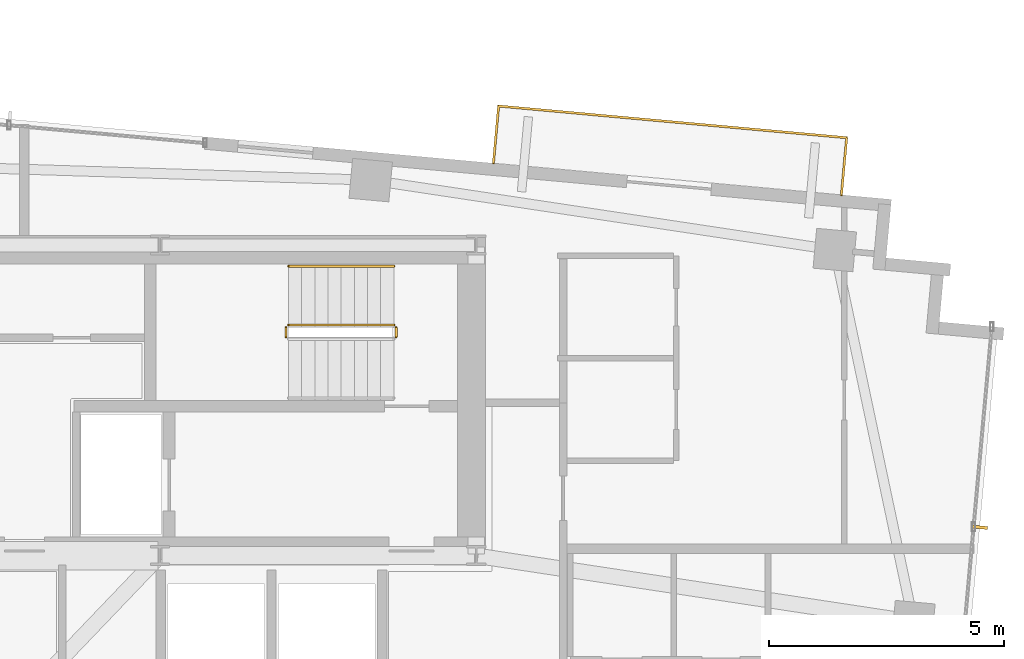
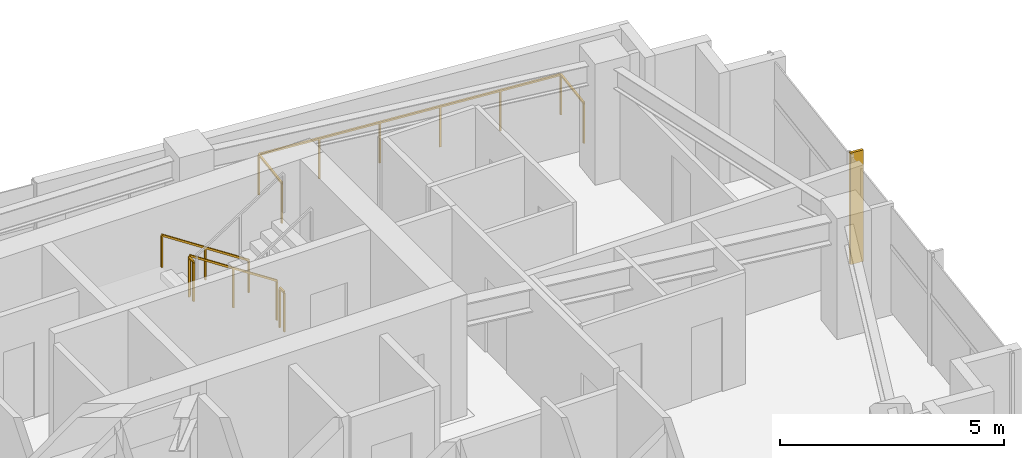
# One storey, part 22 of 22: 5 railings, 1 shading device.
"""IFC4 building model written with IfcOpenShell, lengths in metres."""

from ifc_helpers import new_model, si_unit, direction, frame, origin, origin_2d, place, context, subcontext, project, spatial, rectangle, extrude, source, transform, mapped, material, type_object, type_shapes, element, save


model = new_model("IFC4")

# Units and contexts
model_context = context("Model", 3, precision=1e-05, world=origin(), true_north=direction((0.0, 1.0)))
body_context = subcontext(model_context, "Body", "Model", "MODEL_VIEW")
ifc_project = project(units=[si_unit("LENGTHUNIT", "METRE"), si_unit("AREAUNIT", "SQUARE_METRE"), si_unit("VOLUMEUNIT", "CUBIC_METRE"), si_unit("PLANEANGLEUNIT", "RADIAN"), si_unit("MASSUNIT", "GRAM", prefix="KILO")], contexts=[model_context])

# Site, building, storey
site_placement = place(None, origin())
site = spatial("IfcSite", under=ifc_project, at=site_placement, CompositionType="ELEMENT")
building_placement = place(site_placement, origin())
building = spatial("IfcBuilding", under=site, at=building_placement, Name="Astriad Promenade Condominiums", CompositionType="ELEMENT")
storey_placement = place(building_placement, frame((0.0, 0.0, 236.39990234375)))
storey = spatial("IfcBuildingStorey", under=building, at=storey_placement, Name="L68", CompositionType="ELEMENT", Elevation=236.39990234375)

# Shading device
ifc_material_1 = material(Name="Anodised aluminium 6063-T6 Black Fin", Category="aluminium")
shading_device_type = type_object("IfcShadingDeviceType", Name="FIN-BLACK-260", PredefinedType="USERDEFINED", material=ifc_material_1)
shared_shape_1 = source(origin(), body_context, "Body", "SweptSolid", [
    extrude(rectangle(XDim=0.06494140625, YDim=0.320068359375, at=origin_2d()), origin(), (0.0, 0.0, 1.0), 3.0400390625),
])
type_shapes(shading_device_type, [shared_shape_1])
shading_device_placement = place(storey_placement, frame((56.306884765625, 18.0029296875, 0.0), z_axis=(0.0, 0.0, 1.0), x_axis=(-0.090632580198, -0.995884398616, 0.0)))
element("IfcShadingDevice", 1, at=shading_device_placement, inside=storey, type_object=shading_device_type, Name="CW-L68-E-FIN-01", ObjectType="FIN", PredefinedType="USERDEFINED", context=body_context, shape_type="MappedRepresentation", body=[
    mapped(shared_shape_1, transform((0.0, 0.0, 0.0), scale=1.0)),
])

# Railings
ifc_material_2 = material(Name="Laminated Glass and Stainless Steel Balustrade", Category="steel")
railing_type_1 = type_object("IfcRailingType", Name="GRD-BALC-1120", PredefinedType="BALUSTRADE", material=ifc_material_2)
shared_shape_2 = source(origin(), body_context, "Body", "SweptSolid", [
    extrude(rectangle(XDim=0.048095703125, YDim=0.048095703125, at=origin_2d()), frame((0.0, 0.0, 1.09619140625), z_axis=(0.090643994769, 0.995883359743, 0.0), x_axis=(-0.995883359743, 0.090643994769, 0.0)), (0.0, 0.0, 1.0), 1.22021484375),
    extrude(rectangle(XDim=0.048095703125, YDim=0.048095703125, at=origin_2d()), frame((0.110595703125, 1.215087890625, 1.09619140625), z_axis=(-0.995885656656, 0.090618755604, 0.0), x_axis=(-0.090618755604, -0.995885656656, 0.0)), (0.0, 0.0, 1.0), 7.425048828125),
    extrude(rectangle(XDim=0.048095703125, YDim=0.048095703125, at=origin_2d()), frame((-7.283935546875, 1.887939453125, 1.09619140625), z_axis=(-0.090643994769, -0.995883359743, 0.0), x_axis=(0.995883359743, -0.090643994769, 0.0)), (0.0, 0.0, 1.0), 1.22021484375),
    extrude(rectangle(XDim=0.0419921875, YDim=0.0419921875, at=origin_2d()), origin(), (0.0, 0.0, 1.0), 1.072021484375),
    extrude(rectangle(XDim=0.0419921875, YDim=0.0419921875, at=origin_2d()), frame((0.110595703125, 1.215087890625, 0.0)), (0.0, 0.0, 1.0), 1.072021484375),
    extrude(rectangle(XDim=0.0419921875, YDim=0.0419921875, at=origin_2d()), frame((-1.368408203125, 1.349609375, 0.0)), (0.0, 0.0, 1.0), 1.072021484375),
    extrude(rectangle(XDim=0.0419921875, YDim=0.0419921875, at=origin_2d()), frame((-2.84716796875, 1.484130859375, 0.0)), (0.0, 0.0, 1.0), 1.072021484375),
    extrude(rectangle(XDim=0.0419921875, YDim=0.0419921875, at=origin_2d()), frame((-4.326171875, 1.618896484375, 0.0)), (0.0, 0.0, 1.0), 1.072021484375),
    extrude(rectangle(XDim=0.0419921875, YDim=0.0419921875, at=origin_2d()), frame((-5.804931640625, 1.75341796875, 0.0)), (0.0, 0.0, 1.0), 1.072021484375),
    extrude(rectangle(XDim=0.0419921875, YDim=0.0419921875, at=origin_2d()), frame((-7.283935546875, 1.887939453125, 0.0)), (0.0, 0.0, 1.0), 1.072021484375),
    extrude(rectangle(XDim=0.0419921875, YDim=0.0419921875, at=origin_2d()), frame((-7.39453125, 0.6728515625, 0.0)), (0.0, 0.0, 1.0), 1.072021484375),
])
type_shapes(railing_type_1, [shared_shape_2])
railing_1_placement = place(storey_placement, frame((53.360107421875, 25.065673828125, 0.0)))
element("IfcRailing", 2, at=railing_1_placement, inside=storey, type_object=railing_type_1, Name="GRD-BALC-L68-NE", PredefinedType="BALUSTRADE", context=body_context, shape_type="MappedRepresentation", body=[
    mapped(shared_shape_2, transform((0.0, 0.0, 0.0), scale=1.0)),
])
ifc_material_3 = material(Name="Painted Galvanised Steel Guardrail", Category="steel")
railing_type_2 = type_object("IfcRailingType", Name="GRD-STAIR-1100", PredefinedType="GUARDRAIL", material=ifc_material_3)
shared_shape_3 = source(origin(), body_context, "Body", "SweptSolid", [
    extrude(rectangle(XDim=0.048095703125, YDim=0.048095703125, at=origin_2d()), frame((0.0, 0.0, 1.076171875), z_axis=(-0.836595146698, 0.0, 0.547821650285), x_axis=(0.0, -1.0, 0.0)), (0.0, 0.0, 1.0), 2.677490234375),
    extrude(rectangle(XDim=0.0419921875, YDim=0.0419921875, at=origin_2d()), origin(), (0.0, 0.0, 1.0), 1.052001953125),
    extrude(rectangle(XDim=0.0419921875, YDim=0.0419921875, at=origin_2d()), frame((-1.1201171875, 0.0, 0.7333984375)), (0.0, 0.0, 1.0), 1.052001953125),
    extrude(rectangle(XDim=0.0419921875, YDim=0.0419921875, at=origin_2d()), frame((-2.239990234375, 0.0, 1.466796875)), (0.0, 0.0, 1.0), 1.052001953125),
])
railing_2_placement = place(storey_placement, frame((43.85009765625, 22.300048828125, 0.183349609375)))
element("IfcRailing", 3, at=railing_2_placement, inside=storey, type_object=railing_type_2, Name="L68 ST-2 stair guard 1", PredefinedType="GUARDRAIL", context=body_context, shape_type="MappedRepresentation", body=[
    mapped(shared_shape_3, transform((0.0, 0.0, 0.0), scale=1.0)),
])
ifc_material_4 = material(Name="Brushed Stainless Steel Handrail", Category="steel")
railing_type_3 = type_object("IfcRailingType", Name="HRL-STAIR-920", PredefinedType="HANDRAIL", material=ifc_material_4)
shared_shape_4 = source(origin(), body_context, "Body", "SweptSolid", [
    extrude(rectangle(XDim=0.048095703125, YDim=0.048095703125, at=origin_2d()), frame((0.0, 0.0, 0.8759765625), z_axis=(-0.836595146698, 0.0, 0.547821650285), x_axis=(0.0, -1.0, 0.0)), (0.0, 0.0, 1.0), 2.677490234375),
    extrude(rectangle(XDim=0.0419921875, YDim=0.0419921875, at=origin_2d()), origin(), (0.0, 0.0, 1.0), 0.851806640625),
    extrude(rectangle(XDim=0.0419921875, YDim=0.0419921875, at=origin_2d()), frame((-1.1201171875, 0.0, 0.7333984375)), (0.0, 0.0, 1.0), 0.851806640625),
    extrude(rectangle(XDim=0.0419921875, YDim=0.0419921875, at=origin_2d()), frame((-2.239990234375, 0.0, 1.466796875)), (0.0, 0.0, 1.0), 0.851806640625),
])
type_shapes(railing_type_3, [shared_shape_4])
railing_3_placement = place(storey_placement, frame((43.85009765625, 23.550048828125, 0.183349609375)))
element("IfcRailing", 4, at=railing_3_placement, inside=storey, type_object=railing_type_3, Name="L68 ST-2 stair handrail 1", PredefinedType="HANDRAIL", context=body_context, shape_type="MappedRepresentation", body=[
    mapped(shared_shape_4, transform((0.0, 0.0, 0.0), scale=1.0)),
])
shared_shape_5 = source(origin(), body_context, "Body", "SweptSolid", [
    extrude(rectangle(XDim=0.048095703125, YDim=0.048095703125, at=origin_2d()), frame((0.0, 0.0, 1.076171875), z_axis=(0.0, -1.0, 0.0), x_axis=(1.0, 0.0, 0.0)), (0.0, 0.0, 1.0), 0.199951171875),
    extrude(rectangle(XDim=0.0419921875, YDim=0.0419921875, at=origin_2d()), origin(), (0.0, 0.0, 1.0), 1.052001953125),
    extrude(rectangle(XDim=0.0419921875, YDim=0.0419921875, at=origin_2d()), frame((0.0, -0.199951171875, 0.0)), (0.0, 0.0, 1.0), 1.052001953125),
])
type_shapes(railing_type_2, [shared_shape_3, shared_shape_5])
for number, where, name in (
    (5, (41.56005859375, 22.25, 1.650146484375), "L68 ST-2 stair guard 2"),
    (6, (43.89990234375, 22.25, 0.0), "L68 ST-2 stair guard 4"),
):
    element("IfcRailing", number, at=place(storey_placement, frame(where)), inside=storey, type_object=railing_type_2, Name=name, PredefinedType="GUARDRAIL", context=body_context, shape_type="MappedRepresentation", body=[
        mapped(shared_shape_5, transform((0.0, 0.0, 0.0), scale=1.0)),
    ])

save(model, "model.ifc")
